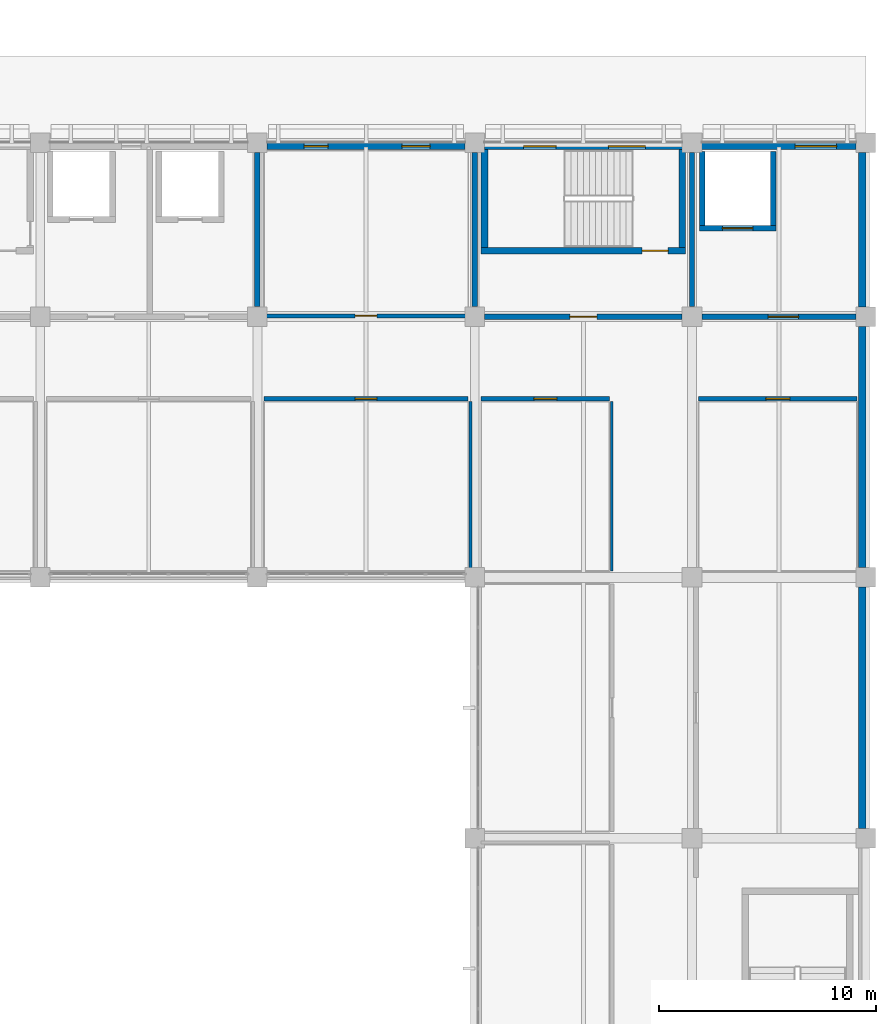
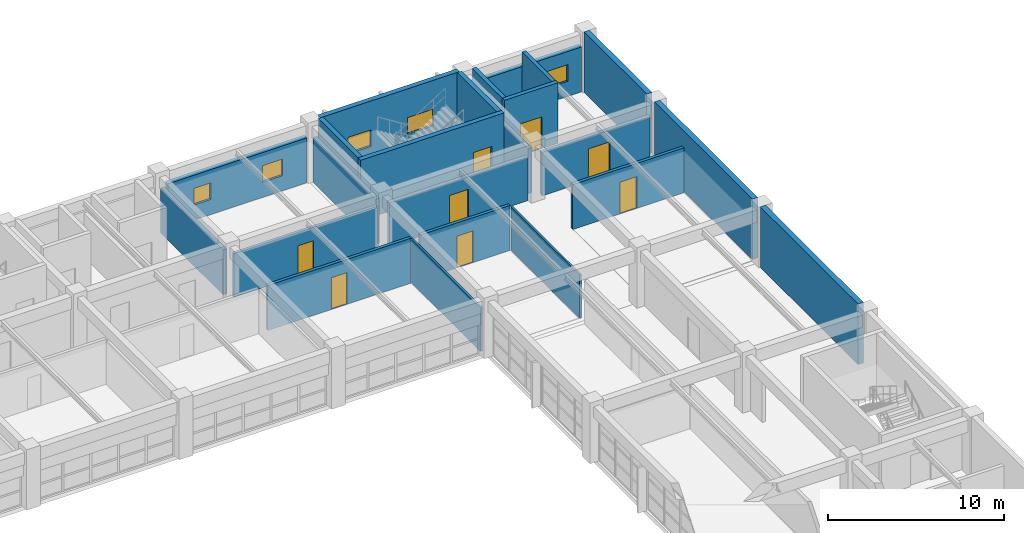
# One storey, part 84 of 100: 23 walls, 8 doors, 5 windows, 13 openings.
"""IFC4 building model written with IfcOpenShell, lengths in metres."""

from ifc_helpers import new_model, si_unit, direction, frame, frame_2d, origin, place, context, subcontext, project, spatial, rectangle, extrude, material, layer, layer_set, type_object, element, fill, save


model = new_model("IFC4")

# Units and contexts
model_context = context("Model", 3, precision=1e-05, world=origin(), true_north=direction((0.0, 1.0)))
body_context = subcontext(model_context, "Body", "Model", "MODEL_VIEW")
ifc_project = project(units=[si_unit("LENGTHUNIT", "METRE"), si_unit("AREAUNIT", "SQUARE_METRE"), si_unit("VOLUMEUNIT", "CUBIC_METRE"), si_unit("PLANEANGLEUNIT", "RADIAN"), si_unit("MASSUNIT", "GRAM", prefix="KILO")], contexts=[model_context])

# Site, building, storey
site_placement = place(None, origin())
site = spatial("IfcSite", under=ifc_project, at=site_placement, CompositionType="ELEMENT")
building_placement = place(site_placement, origin())
building = spatial("IfcBuilding", under=site, at=building_placement, Name="Kivolera Central Railway Station", CompositionType="ELEMENT")
storey_placement = place(building_placement, frame((0.0, 0.0, 5.39990234375)))
storey = spatial("IfcBuildingStorey", under=building, at=storey_placement, Name="L01", CompositionType="ELEMENT", Elevation=5.39990234375)

# Wall, opening, door
ifc_material_1 = material(Name="Swahili coral limestone", Category="masonry")
ifc_layer_1 = layer(ifc_material_1, 0.199951171875, Name="Swahili coral limestone")
ifc_layer_set_1 = layer_set([ifc_layer_1], Name="Swahili coral limestone")
wall_type_1 = type_object("IfcWallType", Name="WL-COR-200", PredefinedType="PARTITIONING", material=ifc_layer_set_1)
wall_1_placement = place(storey_placement, frame((168.300048828125, 126.030029296875, 0.0), z_axis=(0.0, 0.0, 1.0), x_axis=(1.0, 0.0, 0.0)))
wall_1 = element("IfcWall", 1, at=wall_1_placement, inside=storey, type_object=wall_type_1, Name="L01 Passenger First-Aid Clinic Room Corridor Wall", PredefinedType="PARTITIONING", context=body_context, shape_type="SweptSolid", body=[
    extrude(rectangle(XDim=9.39990234375, YDim=0.199951171875, at=frame_2d((4.699951171875, 0.0))), origin(), (0.0, 0.0, 1.0), 3.01806640625),
])
opening_1_placement = place(wall_1_placement, frame((4.199951171875, 0.0, 0.0)))
opening_1 = element("IfcOpeningElement", 2, at=opening_1_placement, cuts=wall_1, Name="Opening D-SG-03", PredefinedType="OPENING", context=body_context, shape_type="SweptSolid", body=[
    extrude(rectangle(XDim=1.0, YDim=2.10009765625, at=frame_2d((0.5, 1.050048828125))), frame((0.0, 0.10986328125, 0.0), z_axis=(0.0, -1.0, 0.0), x_axis=(1.0, 0.0, 0.0)), (0.0, 0.0, 1.0), 0.219970703125),
])
ifc_material_2 = material(Name="Hardwood mvule timber", Category="wood")
door_type_1 = type_object("IfcDoorType", Name="DR-D-SG-03", OperationType="NOTDEFINED", PredefinedType="DOOR", material=ifc_material_2)
door_1_placement = place(opening_1_placement, origin())
door_1 = element("IfcDoor", 3, at=door_1_placement, inside=storey, type_object=door_type_1, Name="L01 Passenger First-Aid Clinic Room Door", OperationType="SINGLE_SWING_RIGHT", OverallHeight=2.10009765625, OverallWidth=1.0, PredefinedType="DOOR", context=body_context, shape_type="SweptSolid", body=[
    extrude(rectangle(XDim=1.0, YDim=2.10009765625, at=frame_2d((0.5, 1.050048828125))), frame((0.0, 0.02490234375, 0.0), z_axis=(0.0, -1.0, 0.0), x_axis=(1.0, 0.0, 0.0)), (0.0, 0.0, 1.0), 0.050048828125),
])
fill(opening_1, door_1)

wall_2_placement = place(storey_placement, frame((168.300048828125, 122.219970703125, 0.0), z_axis=(0.0, 0.0, 1.0), x_axis=(1.0, 0.0, 0.0)))
wall_2 = element("IfcWall", 4, at=wall_2_placement, inside=storey, type_object=wall_type_1, Name="L01 Optical and Electronics Retail Shop Corridor Wall", PredefinedType="PARTITIONING", context=body_context, shape_type="SweptSolid", body=[
    extrude(rectangle(XDim=9.39990234375, YDim=0.199951171875, at=frame_2d((4.699951171875, 0.0))), origin(), (0.0, 0.0, 1.0), 3.1181640625),
])
opening_2_placement = place(wall_2_placement, frame((4.199951171875, 0.0, 0.0)))
opening_2 = element("IfcOpeningElement", 5, at=opening_2_placement, cuts=wall_2, Name="Opening D-SG-09", PredefinedType="OPENING", context=body_context, shape_type="SweptSolid", body=[
    extrude(rectangle(XDim=1.0, YDim=2.199951171875, at=frame_2d((0.5, 1.10009765625))), frame((0.0, 0.10986328125, 0.0), z_axis=(0.0, -1.0, 0.0), x_axis=(1.0, 0.0, 0.0)), (0.0, 0.0, 1.0), 0.219970703125),
])
door_type_2 = type_object("IfcDoorType", Name="DR-D-SG-09", OperationType="NOTDEFINED", PredefinedType="DOOR", material=ifc_material_2)
door_2_placement = place(opening_2_placement, origin())
door_2 = element("IfcDoor", 6, at=door_2_placement, inside=storey, type_object=door_type_2, Name="L01 Optical and Electronics Retail Shop Door", OperationType="SINGLE_SWING_RIGHT", OverallHeight=2.199951171875, OverallWidth=1.0, PredefinedType="DOOR", context=body_context, shape_type="SweptSolid", body=[
    extrude(rectangle(XDim=1.0, YDim=2.199951171875, at=frame_2d((0.5, 1.10009765625))), frame((0.0, 0.02490234375, 0.0), z_axis=(0.0, -1.0, 0.0), x_axis=(1.0, 0.0, 0.0)), (0.0, 0.0, 1.0), 0.050048828125),
])
fill(opening_2, door_2)

wall_3_placement = place(storey_placement, frame((178.300048828125, 122.219970703125, 0.0), z_axis=(0.0, 0.0, 1.0), x_axis=(1.0, 0.0, 0.0)))
wall_3 = element("IfcWall", 7, at=wall_3_placement, inside=storey, type_object=wall_type_1, Name="L01 Travel Insurance Advisory Office Corridor Wall", PredefinedType="PARTITIONING", context=body_context, shape_type="SweptSolid", body=[
    extrude(rectangle(XDim=5.89990234375, YDim=0.199951171875, at=frame_2d((2.949951171875, 0.0))), origin(), (0.0, 0.0, 1.0), 3.1181640625),
])
opening_3_placement = place(wall_3_placement, frame((2.425048828125, 0.0, 0.0)))
opening_3 = element("IfcOpeningElement", 8, at=opening_3_placement, cuts=wall_3, Name="Opening D-SG-10", PredefinedType="OPENING", context=body_context, shape_type="SweptSolid", body=[
    extrude(rectangle(XDim=1.050048828125, YDim=2.199951171875, at=frame_2d((0.52490234375, 1.10009765625))), frame((0.0, 0.10986328125, 0.0), z_axis=(0.0, -1.0, 0.0), x_axis=(1.0, 0.0, 0.0)), (0.0, 0.0, 1.0), 0.219970703125),
])
door_type_3 = type_object("IfcDoorType", Name="DR-D-SG-10", OperationType="NOTDEFINED", PredefinedType="DOOR", material=ifc_material_2)
door_3_placement = place(opening_3_placement, origin())
door_3 = element("IfcDoor", 9, at=door_3_placement, inside=storey, type_object=door_type_3, Name="L01 Travel Insurance Advisory Office Door", OperationType="SINGLE_SWING_LEFT", OverallHeight=2.199951171875, OverallWidth=1.050048828125, PredefinedType="DOOR", context=body_context, shape_type="SweptSolid", body=[
    extrude(rectangle(XDim=1.050048828125, YDim=2.199951171875, at=frame_2d((0.52490234375, 1.10009765625))), frame((0.0, 0.02490234375, 0.0), z_axis=(0.0, -1.0, 0.0), x_axis=(1.0, 0.0, 0.0)), (0.0, 0.0, 1.0), 0.050048828125),
])
fill(opening_3, door_3)

wall_4_placement = place(storey_placement, frame((188.300048828125, 122.219970703125, 0.0), z_axis=(0.0, 0.0, 1.0), x_axis=(1.0, 0.0, 0.0)))
wall_4 = element("IfcWall", 10, at=wall_4_placement, inside=storey, type_object=wall_type_1, Name="L01 Retail Concessionaires Office Corridor Wall", PredefinedType="PARTITIONING", context=body_context, shape_type="SweptSolid", body=[
    extrude(rectangle(XDim=7.300048828125, YDim=0.199951171875, at=frame_2d((3.64990234375, 0.0))), origin(), (0.0, 0.0, 1.0), 3.1181640625),
])
opening_4_placement = place(wall_4_placement, frame((3.10009765625, 0.0, 0.0)))
opening_4 = element("IfcOpeningElement", 11, at=opening_4_placement, cuts=wall_4, Name="Opening D-SG-11", PredefinedType="OPENING", context=body_context, shape_type="SweptSolid", body=[
    extrude(rectangle(XDim=1.10009765625, YDim=2.199951171875, at=frame_2d((0.550048828125, 1.10009765625))), frame((0.0, 0.10986328125, 0.0), z_axis=(0.0, -1.0, 0.0), x_axis=(1.0, 0.0, 0.0)), (0.0, 0.0, 1.0), 0.219970703125),
])
door_type_4 = type_object("IfcDoorType", Name="DR-D-SG-11", OperationType="NOTDEFINED", PredefinedType="DOOR", material=ifc_material_2)
door_4_placement = place(opening_4_placement, origin())
door_4 = element("IfcDoor", 12, at=door_4_placement, inside=storey, type_object=door_type_4, Name="L01 Retail Concessionaires Office Door", OperationType="SINGLE_SWING_RIGHT", OverallHeight=2.199951171875, OverallWidth=1.10009765625, PredefinedType="DOOR", context=body_context, shape_type="SweptSolid", body=[
    extrude(rectangle(XDim=1.10009765625, YDim=2.199951171875, at=frame_2d((0.550048828125, 1.10009765625))), frame((0.0, 0.02490234375, 0.0), z_axis=(0.0, -1.0, 0.0), x_axis=(1.0, 0.0, 0.0)), (0.0, 0.0, 1.0), 0.050048828125),
])
fill(opening_4, door_4)

ifc_material_3 = material(Name="Concrete C40/50", Category="concrete")
ifc_layer_2 = layer(ifc_material_3, 0.300048828125, Name="Concrete C40/50")
ifc_layer_set_2 = layer_set([ifc_layer_2], Name="Concrete C40/50")
wall_type_2 = type_object("IfcWallType", Name="WL-CORE-300", PredefinedType="SHEAR", material=ifc_layer_set_2)
wall_5_placement = place(storey_placement, frame((187.699951171875, 129.030029296875, 0.0), z_axis=(0.0, 0.0, 1.0), x_axis=(-1.0, 0.0, 0.0)))
wall_5 = element("IfcWall", 13, at=wall_5_placement, inside=storey, type_object=wall_type_2, Name="L01 ST3 Core Right Shear Wall", PredefinedType="SHEAR", context=body_context, shape_type="SweptSolid", body=[
    extrude(rectangle(XDim=9.39990234375, YDim=0.300048828125, at=frame_2d((4.699951171875, 0.0))), origin(), (0.0, 0.0, 1.0), 4.2001953125),
])
opening_5_placement = place(wall_5_placement, frame((0.800048828125, 0.0, 0.0)))
opening_5 = element("IfcOpeningElement", 14, at=opening_5_placement, cuts=wall_5, Name="Opening D-STAIR-1200", PredefinedType="OPENING", context=body_context, shape_type="SweptSolid", body=[
    extrude(rectangle(XDim=1.199951171875, YDim=2.14990234375, at=frame_2d((0.60009765625, 1.074951171875))), frame((0.0, 0.159912109375, 0.0), z_axis=(0.0, -1.0, 0.0), x_axis=(1.0, 0.0, 0.0)), (0.0, 0.0, 1.0), 0.320068359375),
])
door_type_5 = type_object("IfcDoorType", Name="DR-D-STAIR-1200", OperationType="NOTDEFINED", PredefinedType="DOOR", material=ifc_material_2)
door_5_placement = place(opening_5_placement, origin())
door_5 = element("IfcDoor", 15, at=door_5_placement, inside=storey, type_object=door_type_5, Name="L01 ST3 Vestibule Fire Door", OperationType="SINGLE_SWING_RIGHT", OverallHeight=2.14990234375, OverallWidth=1.199951171875, PredefinedType="DOOR", context=body_context, shape_type="SweptSolid", body=[
    extrude(rectangle(XDim=1.199951171875, YDim=2.14990234375, at=frame_2d((0.60009765625, 1.074951171875))), frame((0.0, 0.02490234375, 0.0), z_axis=(0.0, -1.0, 0.0), x_axis=(1.0, 0.0, 0.0)), (0.0, 0.0, 1.0), 0.050048828125),
])
fill(opening_5, door_5)

# Walls
for number, where, z_axis, x_axis, name in (
    (16, (187.550048828125, 133.679931640625, 0.0), (0.0, 0.0, 1.0), (0.0, -1.0, 0.0), "L01 ST3 Core Near Shear Wall"),
    (17, (178.449951171875, 129.179931640625, 0.0), (0.0, 0.0, 1.0), (0.0, 1.0, 0.0), "L01 ST3 Core Far Shear Wall"),
):
    element("IfcWall", number, at=place(storey_placement, frame(where, z_axis=z_axis, x_axis=x_axis)), inside=storey, type_object=wall_type_2, Name=name, PredefinedType="SHEAR", context=body_context, shape_type="SweptSolid", body=[
        extrude(rectangle(XDim=4.5, YDim=0.300048828125, at=frame_2d((2.25, 0.0))), origin(), (0.0, 0.0, 1.0), 4.2001953125),
    ])

# Wall, openings, windows
ifc_layer_3 = layer(ifc_material_3, 0.320068359375, Name="Concrete C40/50")
ifc_layer_set_3 = layer_set([ifc_layer_3], Name="Concrete C40/50")
wall_type_3 = type_object("IfcWallType", Name="WL-CORE-EXT-320", PredefinedType="SHEAR", material=ifc_layer_set_3)
wall_6_placement = place(storey_placement, frame((178.445068359375, 133.840087890625, 0.0), z_axis=(0.0, 0.0, 1.0), x_axis=(1.0, 0.0, 0.0)))
wall_6 = element("IfcWall", 18, at=wall_6_placement, inside=storey, type_object=wall_type_3, Name="L01 North Street Facade Wall Bay 7", PredefinedType="SHEAR", context=body_context, shape_type="SweptSolid", body=[
    extrude(rectangle(XDim=9.10986328125, YDim=0.320068359375, at=frame_2d((4.554931640625, 0.0))), origin(), (0.0, 0.0, 1.0), 4.2001953125),
])
opening_6_placement = place(wall_6_placement, frame((1.804931640625, 0.0, 1.050048828125)))
opening_6 = element("IfcOpeningElement", 19, at=opening_6_placement, cuts=wall_6, Name="Opening WN-04", PredefinedType="OPENING", context=body_context, shape_type="SweptSolid", body=[
    extrude(rectangle(XDim=1.5, YDim=1.14990234375, at=frame_2d((0.75, 0.574951171875))), frame((0.0, 0.169921875, 0.0), z_axis=(0.0, -1.0, 0.0), x_axis=(1.0, 0.0, 0.0)), (0.0, 0.0, 1.0), 0.340087890625),
])
opening_7_placement = place(wall_6_placement, frame((5.705078125, 0.0, 1.050048828125)))
opening_7 = element("IfcOpeningElement", 20, at=opening_7_placement, cuts=wall_6, Name="Opening WN-05", PredefinedType="OPENING", context=body_context, shape_type="SweptSolid", body=[
    extrude(rectangle(XDim=1.699951171875, YDim=1.14990234375, at=frame_2d((0.85009765625, 0.574951171875))), frame((0.0, 0.169921875, 0.0), z_axis=(0.0, -1.0, 0.0), x_axis=(1.0, 0.0, 0.0)), (0.0, 0.0, 1.0), 0.340087890625),
])
ifc_material_4 = material(Name="Double low-E laminated glass", Category="glass")
window_type_1 = type_object("IfcWindowType", Name="WIN-WN-04", PartitioningType="SINGLE_PANEL", PredefinedType="WINDOW", material=ifc_material_4)
window_1_placement = place(opening_6_placement, origin())
window_1 = element("IfcWindow", 21, at=window_1_placement, inside=storey, type_object=window_type_1, Name="L01 North Street Window Bay 7.1", OverallHeight=1.14990234375, OverallWidth=1.5, PartitioningType="SINGLE_PANEL", PredefinedType="WINDOW", context=body_context, shape_type="SweptSolid", body=[
    extrude(rectangle(XDim=1.5, YDim=1.14990234375, at=frame_2d((0.75, 0.574951171875))), frame((0.0, 0.030029296875, 0.0), z_axis=(0.0, -1.0, 0.0), x_axis=(1.0, 0.0, 0.0)), (0.0, 0.0, 1.0), 0.06005859375),
])
fill(opening_6, window_1)
window_type_2 = type_object("IfcWindowType", Name="WIN-WN-05", PartitioningType="SINGLE_PANEL", PredefinedType="WINDOW", material=ifc_material_4)
window_2_placement = place(opening_7_placement, origin())
window_2 = element("IfcWindow", 22, at=window_2_placement, inside=storey, type_object=window_type_2, Name="L01 North Street Window Bay 7.2", OverallHeight=1.14990234375, OverallWidth=1.699951171875, PartitioningType="SINGLE_PANEL", PredefinedType="WINDOW", context=body_context, shape_type="SweptSolid", body=[
    extrude(rectangle(XDim=1.699951171875, YDim=1.14990234375, at=frame_2d((0.85009765625, 0.574951171875))), frame((0.0, 0.030029296875, 0.0), z_axis=(0.0, -1.0, 0.0), x_axis=(1.0, 0.0, 0.0)), (0.0, 0.0, 1.0), 0.06005859375),
])
fill(opening_7, window_2)

ifc_layer_4 = layer(ifc_material_1, 0.320068359375, Name="Swahili coral limestone")
ifc_layer_set_4 = layer_set([ifc_layer_4], Name="Swahili coral limestone")
wall_type_4 = type_object("IfcWallType", Name="WL-EXT-CORAL-320", PredefinedType="SOLIDWALL", material=ifc_layer_set_4)
wall_7_placement = place(storey_placement, frame((168.445068359375, 133.840087890625, 0.0), z_axis=(0.0, 0.0, 1.0), x_axis=(1.0, 0.0, 0.0)))
wall_7 = element("IfcWall", 23, at=wall_7_placement, inside=storey, type_object=wall_type_4, Name="L01 North Street Facade Wall Bay 6", PredefinedType="SOLIDWALL", context=body_context, shape_type="SweptSolid", body=[
    extrude(rectangle(XDim=9.10986328125, YDim=0.320068359375, at=frame_2d((4.554931640625, 0.0))), origin(), (0.0, 0.0, 1.0), 3.1181640625),
])
opening_8_placement = place(wall_7_placement, frame((1.705078125, 0.0, 1.050048828125)))
opening_8 = element("IfcOpeningElement", 24, at=opening_8_placement, cuts=wall_7, Name="Opening WN-02", PredefinedType="OPENING", context=body_context, shape_type="SweptSolid", body=[
    extrude(rectangle(XDim=1.10009765625, YDim=1.14990234375, at=frame_2d((0.550048828125, 0.574951171875))), frame((0.0, 0.169921875, 0.0), z_axis=(0.0, -1.0, 0.0), x_axis=(1.0, 0.0, 0.0)), (0.0, 0.0, 1.0), 0.340087890625),
])
opening_9_placement = place(wall_7_placement, frame((6.205078125, 0.0, 1.050048828125)))
opening_9 = element("IfcOpeningElement", 25, at=opening_9_placement, cuts=wall_7, Name="Opening WN-03", PredefinedType="OPENING", context=body_context, shape_type="SweptSolid", body=[
    extrude(rectangle(XDim=1.300048828125, YDim=1.14990234375, at=frame_2d((0.64990234375, 0.574951171875))), frame((0.0, 0.169921875, 0.0), z_axis=(0.0, -1.0, 0.0), x_axis=(1.0, 0.0, 0.0)), (0.0, 0.0, 1.0), 0.340087890625),
])
window_type_3 = type_object("IfcWindowType", Name="WIN-WN-02", PartitioningType="SINGLE_PANEL", PredefinedType="WINDOW", material=ifc_material_4)
window_3_placement = place(opening_8_placement, origin())
window_3 = element("IfcWindow", 26, at=window_3_placement, inside=storey, type_object=window_type_3, Name="L01 North Street Window Bay 6.1", OverallHeight=1.14990234375, OverallWidth=1.10009765625, PartitioningType="SINGLE_PANEL", PredefinedType="WINDOW", context=body_context, shape_type="SweptSolid", body=[
    extrude(rectangle(XDim=1.10009765625, YDim=1.14990234375, at=frame_2d((0.550048828125, 0.574951171875))), frame((0.0, 0.030029296875, 0.0), z_axis=(0.0, -1.0, 0.0), x_axis=(1.0, 0.0, 0.0)), (0.0, 0.0, 1.0), 0.06005859375),
])
fill(opening_8, window_3)
window_type_4 = type_object("IfcWindowType", Name="WIN-WN-03", PartitioningType="SINGLE_PANEL", PredefinedType="WINDOW", material=ifc_material_4)
window_4_placement = place(opening_9_placement, origin())
window_4 = element("IfcWindow", 27, at=window_4_placement, inside=storey, type_object=window_type_4, Name="L01 North Street Window Bay 6.2", OverallHeight=1.14990234375, OverallWidth=1.300048828125, PartitioningType="SINGLE_PANEL", PredefinedType="WINDOW", context=body_context, shape_type="SweptSolid", body=[
    extrude(rectangle(XDim=1.300048828125, YDim=1.14990234375, at=frame_2d((0.64990234375, 0.574951171875))), frame((0.0, 0.030029296875, 0.0), z_axis=(0.0, -1.0, 0.0), x_axis=(1.0, 0.0, 0.0)), (0.0, 0.0, 1.0), 0.06005859375),
])
fill(opening_9, window_4)

# Wall, opening, window
wall_8_placement = place(storey_placement, frame((188.445068359375, 133.840087890625, 0.0), z_axis=(0.0, 0.0, 1.0), x_axis=(1.0, 0.0, 0.0)))
wall_8 = element("IfcWall", 28, at=wall_8_placement, inside=storey, type_object=wall_type_4, Name="L01 North Street Facade Wall Bay 8", PredefinedType="SOLIDWALL", context=body_context, shape_type="SweptSolid", body=[
    extrude(rectangle(XDim=7.10986328125, YDim=0.320068359375, at=frame_2d((3.554931640625, 0.0))), origin(), (0.0, 0.0, 1.0), 3.1181640625),
])
opening_10_placement = place(wall_8_placement, frame((4.304931640625, 0.0, 1.050048828125)))
opening_10 = element("IfcOpeningElement", 29, at=opening_10_placement, cuts=wall_8, Name="Opening WN-06", PredefinedType="OPENING", context=body_context, shape_type="SweptSolid", body=[
    extrude(rectangle(XDim=1.89990234375, YDim=1.14990234375, at=frame_2d((0.949951171875, 0.574951171875))), frame((0.0, 0.169921875, 0.0), z_axis=(0.0, -1.0, 0.0), x_axis=(1.0, 0.0, 0.0)), (0.0, 0.0, 1.0), 0.340087890625),
])
window_type_5 = type_object("IfcWindowType", Name="WIN-WN-06", PartitioningType="SINGLE_PANEL", PredefinedType="WINDOW", material=ifc_material_4)
window_5_placement = place(opening_10_placement, origin())
window_5 = element("IfcWindow", 30, at=window_5_placement, inside=storey, type_object=window_type_5, Name="L01 North Street Window Bay 8.1", OverallHeight=1.14990234375, OverallWidth=1.89990234375, PartitioningType="SINGLE_PANEL", PredefinedType="WINDOW", context=body_context, shape_type="SweptSolid", body=[
    extrude(rectangle(XDim=1.89990234375, YDim=1.14990234375, at=frame_2d((0.949951171875, 0.574951171875))), frame((0.0, 0.030029296875, 0.0), z_axis=(0.0, -1.0, 0.0), x_axis=(1.0, 0.0, 0.0)), (0.0, 0.0, 1.0), 0.06005859375),
])
fill(opening_10, window_5)

# Wall, opening, door
ifc_layer_5 = layer(ifc_material_3, 0.25, Name="Concrete C40/50")
ifc_layer_set_5 = layer_set([ifc_layer_5], Name="Concrete C40/50")
wall_type_5 = type_object("IfcWallType", Name="WL-FFL-250", PredefinedType="PARTITIONING", material=ifc_layer_set_5)
wall_9_placement = place(storey_placement, frame((178.455078125, 126.0, 0.0), z_axis=(0.0, 0.0, 1.0), x_axis=(1.0, 0.0, 0.0)))
wall_9 = element("IfcWall", 31, at=wall_9_placement, inside=storey, type_object=wall_type_5, Name="L01 North Core Corridor Wall 178", PredefinedType="PARTITIONING", context=body_context, shape_type="SweptSolid", body=[
    extrude(rectangle(XDim=9.08984375, YDim=0.25, at=frame_2d((4.544921875, 0.0))), origin(), (0.0, 0.0, 1.0), 3.01806640625),
])
opening_11_placement = place(wall_9_placement, frame((3.919921875, 0.0, 0.0)))
opening_11 = element("IfcOpeningElement", 32, at=opening_11_placement, cuts=wall_9, Name="Opening D-FFL-1250", PredefinedType="OPENING", context=body_context, shape_type="SweptSolid", body=[
    extrude(rectangle(XDim=1.25, YDim=2.14990234375, at=frame_2d((0.625, 1.074951171875))), frame((0.0, 0.135009765625, 0.0), z_axis=(0.0, -1.0, 0.0), x_axis=(1.0, 0.0, 0.0)), (0.0, 0.0, 1.0), 0.27001953125),
])
door_type_6 = type_object("IfcDoorType", Name="DR-D-FFL-1250", OperationType="NOTDEFINED", PredefinedType="DOOR", material=ifc_material_2)
door_6_placement = place(opening_11_placement, origin())
door_6 = element("IfcDoor", 33, at=door_6_placement, inside=storey, type_object=door_type_6, Name="L01 ST3 Vestibule Corridor Door", OperationType="SINGLE_SWING_RIGHT", OverallHeight=2.14990234375, OverallWidth=1.25, PredefinedType="DOOR", context=body_context, shape_type="SweptSolid", body=[
    extrude(rectangle(XDim=1.25, YDim=2.14990234375, at=frame_2d((0.625, 1.074951171875))), frame((0.0, 0.02490234375, 0.0), z_axis=(0.0, -1.0, 0.0), x_axis=(1.0, 0.0, 0.0)), (0.0, 0.0, 1.0), 0.050048828125),
])
fill(opening_11, door_6)

wall_10_placement = place(storey_placement, frame((188.455078125, 126.0, 0.0), z_axis=(0.0, 0.0, 1.0), x_axis=(1.0, 0.0, 0.0)))
wall_10 = element("IfcWall", 34, at=wall_10_placement, inside=storey, type_object=wall_type_5, Name="L01 North Core Corridor Wall 188", PredefinedType="PARTITIONING", context=body_context, shape_type="SweptSolid", body=[
    extrude(rectangle(XDim=7.08984375, YDim=0.25, at=frame_2d((3.544921875, 0.0))), origin(), (0.0, 0.0, 1.0), 3.01806640625),
])
opening_12_placement = place(wall_10_placement, frame((3.044921875, 0.0, 0.0)))
opening_12 = element("IfcOpeningElement", 35, at=opening_12_placement, cuts=wall_10, Name="Opening D-PLT-1400", PredefinedType="OPENING", context=body_context, shape_type="SweptSolid", body=[
    extrude(rectangle(XDim=1.39990234375, YDim=2.199951171875, at=frame_2d((0.699951171875, 1.10009765625))), frame((0.0, 0.135009765625, 0.0), z_axis=(0.0, -1.0, 0.0), x_axis=(1.0, 0.0, 0.0)), (0.0, 0.0, 1.0), 0.27001953125),
])
ifc_material_5 = material(Name="Anodised aluminium", Category="aluminium")
door_type_7 = type_object("IfcDoorType", Name="DR-D-PLT-1400", OperationType="NOTDEFINED", PredefinedType="DOOR", material=ifc_material_5)
door_7_placement = place(opening_12_placement, origin())
door_7 = element("IfcDoor", 36, at=door_7_placement, inside=storey, type_object=door_type_7, Name="L01 GL1 Goods Lift Lobby Door", OperationType="SINGLE_SWING_LEFT", OverallHeight=2.199951171875, OverallWidth=1.39990234375, PredefinedType="DOOR", context=body_context, shape_type="SweptSolid", body=[
    extrude(rectangle(XDim=1.39990234375, YDim=2.199951171875, at=frame_2d((0.699951171875, 1.10009765625))), frame((0.0, 0.02490234375, 0.0), z_axis=(0.0, -1.0, 0.0), x_axis=(1.0, 0.0, 0.0)), (0.0, 0.0, 1.0), 0.050048828125),
])
fill(opening_12, door_7)

# Walls
for number, where, z_axis, x_axis, name in (
    (37, (168.0, 126.455078125, 0.0), (0.0, 0.0, 1.0), (0.0, 1.0, 0.0), "L01 North Core Partition GRID-168"),
    (38, (178.0, 126.455078125, 0.0), (0.0, 0.0, 1.0), (0.0, 1.0, 0.0), "L01 North Core Partition GRID-178"),
    (39, (188.0, 126.455078125, 0.0), (0.0, 0.0, 1.0), (0.0, 1.0, 0.0), "L01 North Core Partition GRID-188"),
):
    element("IfcWall", number, at=place(storey_placement, frame(where, z_axis=z_axis, x_axis=x_axis)), inside=storey, type_object=wall_type_5, Name=name, PredefinedType="PARTITIONING", context=body_context, shape_type="SweptSolid", body=[
        extrude(rectangle(XDim=7.08984375, YDim=0.25, at=frame_2d((3.544921875, 0.0))), origin(), (0.0, 0.0, 1.0), 3.1181640625),
    ])
ifc_layer_6 = layer(ifc_material_3, 0.35009765625, Name="Concrete C40/50")
ifc_layer_set_6 = layer_set([ifc_layer_6], Name="Concrete C40/50")
wall_type_6 = type_object("IfcWallType", Name="WL-PARTY-350", PredefinedType="SOLIDWALL", material=ifc_layer_set_6)
for number, where, z_axis, x_axis, name in (
    (40, (195.824951171875, 113.554931640625, 0.0), (0.0, 0.0, 1.0), (0.0, -1.0, 0.0), "L01 East Infill EI 120 Party Wall 102-114"),
    (41, (195.824951171875, 125.554931640625, 0.0), (0.0, 0.0, 1.0), (0.0, -1.0, 0.0), "L01 East Infill EI 120 Party Wall 114-126"),
):
    element("IfcWall", number, at=place(storey_placement, frame(where, z_axis=z_axis, x_axis=x_axis)), inside=storey, type_object=wall_type_6, Name=name, PredefinedType="SOLIDWALL", context=body_context, shape_type="SweptSolid", body=[
        extrude(rectangle(XDim=11.10986328125, YDim=0.35009765625, at=frame_2d((5.554931640625, 0.0))), origin(), (0.0, 0.0, 1.0), 4.2001953125),
    ])
wall_11_placement = place(storey_placement, frame((195.824951171875, 133.554931640625, 0.0), z_axis=(0.0, 0.0, 1.0), x_axis=(0.0, -1.0, 0.0)))
element("IfcWall", 42, at=wall_11_placement, inside=storey, type_object=wall_type_6, Name="L01 East Infill EI 120 Party Wall 126-134", PredefinedType="SOLIDWALL", context=body_context, shape_type="SweptSolid", body=[
    extrude(rectangle(XDim=7.10986328125, YDim=0.35009765625, at=frame_2d((3.554931640625, 0.0))), origin(), (0.0, 0.0, 1.0), 4.2001953125),
])
ifc_material_6 = material(Name="Gypsum plasterboard steel-stud partition")
ifc_layer_7 = layer(ifc_material_6, 0.1201171875, Name="Gypsum plasterboard steel-stud partition")
ifc_layer_set_7 = layer_set([ifc_layer_7], Name="Gypsum plasterboard steel-stud partition")
wall_type_7 = type_object("IfcWallType", Name="WL-PRT-120", PredefinedType="PARTITIONING", material=ifc_layer_set_7)
wall_12_placement = place(storey_placement, frame((184.300048828125, 114.300048828125, 0.0), z_axis=(0.0, 0.0, 1.0), x_axis=(0.0, 1.0, 0.0)))
element("IfcWall", 43, at=wall_12_placement, inside=storey, type_object=wall_type_7, Name="L01 Travel Insurance Advisory Office Partition Wall", PredefinedType="PARTITIONING", context=body_context, shape_type="SweptSolid", body=[
    extrude(rectangle(XDim=7.800048828125, YDim=0.1201171875, at=frame_2d((3.89990234375, 0.0))), origin(), (0.0, 0.0, 1.0), 3.01806640625),
])
ifc_layer_8 = layer(ifc_material_6, 0.135009765625, Name="Gypsum plasterboard steel-stud partition")
ifc_layer_set_8 = layer_set([ifc_layer_8], Name="Gypsum plasterboard steel-stud partition")
wall_type_8 = type_object("IfcWallType", Name="WL-PRT-135", PredefinedType="PARTITIONING", material=ifc_layer_set_8)
wall_13_placement = place(storey_placement, frame((177.800048828125, 114.300048828125, 0.0), z_axis=(0.0, 0.0, 1.0), x_axis=(0.0, 1.0, 0.0)))
element("IfcWall", 44, at=wall_13_placement, inside=storey, type_object=wall_type_8, Name="L01 Optical and Electronics Retail Shop Partition Wall", PredefinedType="PARTITIONING", context=body_context, shape_type="SweptSolid", body=[
    extrude(rectangle(XDim=7.800048828125, YDim=0.135009765625, at=frame_2d((3.89990234375, 0.0))), origin(), (0.0, 0.0, 1.0), 3.01806640625),
])

# Wall, opening, door
ifc_layer_9 = layer(ifc_material_3, 0.260009765625, Name="Concrete C40/50")
ifc_layer_set_9 = layer_set([ifc_layer_9], Name="Concrete C40/50")
wall_type_9 = type_object("IfcWallType", Name="WL-SHAFT-260", PredefinedType="SHEAR", material=ifc_layer_set_9)
wall_14_placement = place(storey_placement, frame((188.340087890625, 130.070068359375, 0.0), z_axis=(0.0, 0.0, 1.0), x_axis=(1.0, 0.0, 0.0)))
wall_14 = element("IfcWall", 45, at=wall_14_placement, inside=storey, type_object=wall_type_9, Name="L01 Lift GL1 Front Shaft Wall", PredefinedType="SHEAR", context=body_context, shape_type="SweptSolid", body=[
    extrude(rectangle(XDim=3.52001953125, YDim=0.260009765625, at=frame_2d((1.760009765625, 0.0))), origin(), (0.0, 0.0, 1.0), 4.2001953125),
])
opening_13_placement = place(wall_14_placement, frame((1.06005859375, 0.0, 0.0)))
opening_13 = element("IfcOpeningElement", 46, at=opening_13_placement, cuts=wall_14, Name="Opening LD-GDS-1400", PredefinedType="OPENING", context=body_context, shape_type="SweptSolid", body=[
    extrude(rectangle(XDim=1.39990234375, YDim=2.199951171875, at=frame_2d((0.699951171875, 1.10009765625))), frame((0.0, 0.139892578125, 0.0), z_axis=(0.0, -1.0, 0.0), x_axis=(1.0, 0.0, 0.0)), (0.0, 0.0, 1.0), 0.280029296875),
])
door_type_8 = type_object("IfcDoorType", Name="DR-LD-GDS-1400", OperationType="NOTDEFINED", PredefinedType="DOOR", material=ifc_material_5)
door_8_placement = place(opening_13_placement, origin())
door_8 = element("IfcDoor", 47, at=door_8_placement, inside=storey, type_object=door_type_8, Name="L01 Lift GL1 Sliding Landing Door", OperationType="SLIDING_TO_LEFT", OverallHeight=2.199951171875, OverallWidth=1.39990234375, PredefinedType="DOOR", context=body_context, shape_type="SweptSolid", body=[
    extrude(rectangle(XDim=1.39990234375, YDim=2.199951171875, at=frame_2d((0.699951171875, 1.10009765625))), frame((0.0, 0.02490234375, 0.0), z_axis=(0.0, -1.0, 0.0), x_axis=(1.0, 0.0, 0.0)), (0.0, 0.0, 1.0), 0.050048828125),
])
fill(opening_13, door_8)

# Walls
for number, where, z_axis, x_axis, name in (
    (48, (188.469970703125, 130.199951171875, 0.0), (0.0, 0.0, 1.0), (0.0, 1.0, 0.0), "L01 Lift GL1 West Shaft Wall"),
    (49, (191.72998046875, 130.199951171875, 0.0), (0.0, 0.0, 1.0), (0.0, 1.0, 0.0), "L01 Lift GL1 East Shaft Wall"),
):
    element("IfcWall", number, at=place(storey_placement, frame(where, z_axis=z_axis, x_axis=x_axis)), inside=storey, type_object=wall_type_9, Name=name, PredefinedType="SHEAR", context=body_context, shape_type="SweptSolid", body=[
        extrude(rectangle(XDim=3.400146484375, YDim=0.260009765625, at=frame_2d((1.7001953125, 0.0))), origin(), (0.0, 0.0, 1.0), 4.2001953125),
    ])

save(model, "model.ifc")
